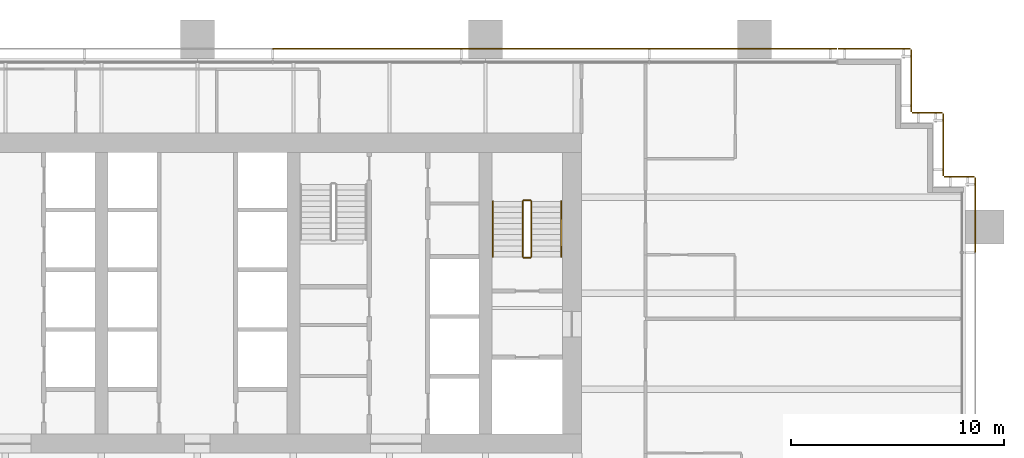
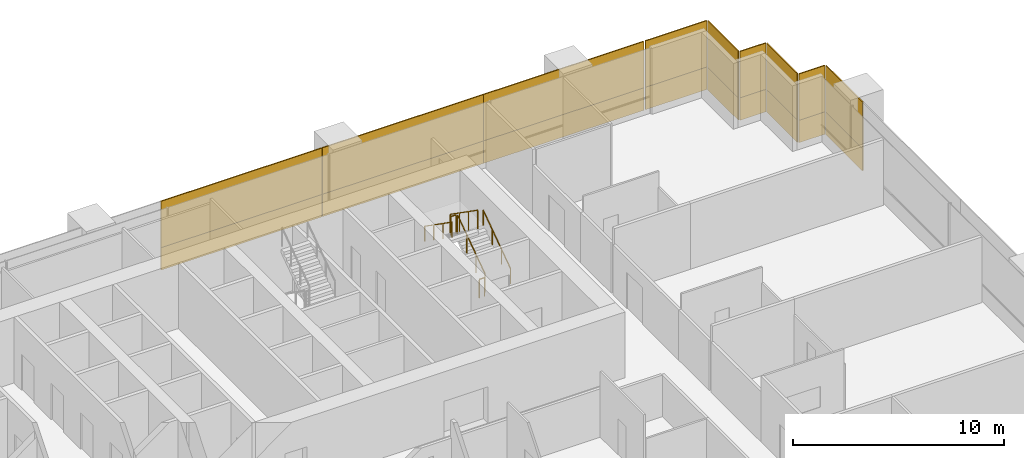
# One storey, part 19 of 19: 18 coverings, 6 railings.
"""IFC4 building model written with IfcOpenShell, lengths in metres."""

from ifc_helpers import new_model, si_unit, direction, frame, origin, origin_2d, place, context, subcontext, project, spatial, rectangle, extrude, material, layer, layer_set, type_object, element, save


model = new_model("IFC4")

# Units and contexts
model_context = context("Model", 3, precision=1e-05, world=origin(), true_north=direction((0.0, 1.0)))
body_context = subcontext(model_context, "Body", "Model", "MODEL_VIEW")
ifc_project = project(units=[si_unit("LENGTHUNIT", "METRE"), si_unit("AREAUNIT", "SQUARE_METRE"), si_unit("VOLUMEUNIT", "CUBIC_METRE"), si_unit("PLANEANGLEUNIT", "RADIAN"), si_unit("MASSUNIT", "GRAM", prefix="KILO")], contexts=[model_context])

# Site, building, storey
site_placement = place(None, origin())
site = spatial("IfcSite", under=ifc_project, at=site_placement, CompositionType="ELEMENT")
building_placement = place(site_placement, origin())
building = spatial("IfcBuilding", under=site, at=building_placement, Name="Rattan Terrace Tower", CompositionType="ELEMENT")
storey_placement = place(building_placement, frame((0.0, 0.0, 111.699951171875)))
storey = spatial("IfcBuildingStorey", under=building, at=storey_placement, Name="L25", CompositionType="ELEMENT", Elevation=111.699951171875)

# Railings
ifc_material_1 = material(Name="Powder-coated steel guard", Category="steel")
railing_type_1 = type_object("IfcRailingType", Name="Core stair guard", PredefinedType="GUARDRAIL", material=ifc_material_1)
railing_1_placement = place(storey_placement, frame((15.64990234375, 1.699951171875, 0.181884765625)))
element("IfcRailing", 1, at=railing_1_placement, inside=storey, type_object=railing_type_1, Name="L25 S2 stair guard 1", PredefinedType="GUARDRAIL", context=body_context, shape_type="SweptSolid", body=[
    extrude(rectangle(XDim=0.048095703125, YDim=0.048095703125, at=origin_2d()), frame((0.0, 0.0, 1.076171875), z_axis=(0.0, 0.819521025635, 0.573049115296), x_axis=(-1.0, 0.0, 0.0)), (0.0, 0.0, 1.0), 3.172607421875),
    extrude(rectangle(XDim=0.0419921875, YDim=0.0419921875, at=origin_2d()), origin(), (0.0, 0.0, 1.0), 1.052001953125),
    extrude(rectangle(XDim=0.0419921875, YDim=0.0419921875, at=origin_2d()), frame((0.0, 0.86669921875, 0.60595703125)), (0.0, 0.0, 1.0), 1.052001953125),
    extrude(rectangle(XDim=0.0419921875, YDim=0.0419921875, at=origin_2d()), frame((0.0, 1.7333984375, 1.212158203125)), (0.0, 0.0, 1.0), 1.052001953125),
    extrude(rectangle(XDim=0.0419921875, YDim=0.0419921875, at=origin_2d()), frame((0.0, 2.60009765625, 1.818115234375)), (0.0, 0.0, 1.0), 1.052001953125),
])
railing_2_placement = place(storey_placement, frame((15.60009765625, 4.35009765625, 2.0)))
element("IfcRailing", 2, at=railing_2_placement, inside=storey, type_object=railing_type_1, Name="L25 S2 stair guard 2", PredefinedType="GUARDRAIL", context=body_context, shape_type="SweptSolid", body=[
    extrude(rectangle(XDim=0.048095703125, YDim=0.048095703125, at=origin_2d()), frame((0.0, 0.0, 1.076171875), z_axis=(-1.0, 0.0, 0.0), x_axis=(0.0, -1.0, 0.0)), (0.0, 0.0, 1.0), 0.300048828125),
    extrude(rectangle(XDim=0.0419921875, YDim=0.0419921875, at=origin_2d()), origin(), (0.0, 0.0, 1.0), 1.052001953125),
    extrude(rectangle(XDim=0.0419921875, YDim=0.0419921875, at=origin_2d()), frame((-0.300048828125, 0.0, 0.0)), (0.0, 0.0, 1.0), 1.052001953125),
])
railing_3_placement = place(storey_placement, frame((15.25, 4.300048828125, 2.181884765625)))
element("IfcRailing", 3, at=railing_3_placement, inside=storey, type_object=railing_type_1, Name="L25 S2 stair guard 3", PredefinedType="GUARDRAIL", context=body_context, shape_type="SweptSolid", body=[
    extrude(rectangle(XDim=0.048095703125, YDim=0.048095703125, at=origin_2d()), frame((0.0, 0.0, 1.076171875), z_axis=(0.0, -0.819521025635, 0.573049115296), x_axis=(1.0, 0.0, 0.0)), (0.0, 0.0, 1.0), 3.172607421875),
    extrude(rectangle(XDim=0.0419921875, YDim=0.0419921875, at=origin_2d()), origin(), (0.0, 0.0, 1.0), 1.052001953125),
    extrude(rectangle(XDim=0.0419921875, YDim=0.0419921875, at=origin_2d()), frame((0.0, -0.86669921875, 0.60595703125)), (0.0, 0.0, 1.0), 1.052001953125),
    extrude(rectangle(XDim=0.0419921875, YDim=0.0419921875, at=origin_2d()), frame((0.0, -1.7333984375, 1.212158203125)), (0.0, 0.0, 1.0), 1.052001953125),
    extrude(rectangle(XDim=0.0419921875, YDim=0.0419921875, at=origin_2d()), frame((0.0, -2.60009765625, 1.818115234375)), (0.0, 0.0, 1.0), 1.052001953125),
])
railing_4_placement = place(storey_placement, frame((15.60009765625, 1.64990234375, 0.0)))
element("IfcRailing", 4, at=railing_4_placement, inside=storey, type_object=railing_type_1, Name="L25 S2 stair guard 4", PredefinedType="GUARDRAIL", context=body_context, shape_type="SweptSolid", body=[
    extrude(rectangle(XDim=0.048095703125, YDim=0.048095703125, at=origin_2d()), frame((0.0, 0.0, 1.076171875), z_axis=(-1.0, 0.0, 0.0), x_axis=(0.0, -1.0, 0.0)), (0.0, 0.0, 1.0), 0.300048828125),
    extrude(rectangle(XDim=0.0419921875, YDim=0.0419921875, at=origin_2d()), origin(), (0.0, 0.0, 1.0), 1.052001953125),
    extrude(rectangle(XDim=0.0419921875, YDim=0.0419921875, at=origin_2d()), frame((-0.300048828125, 0.0, 0.0)), (0.0, 0.0, 1.0), 1.052001953125),
])
ifc_material_2 = material(Name="Powder-coated steel handrail", Category="steel")
railing_type_2 = type_object("IfcRailingType", Name="Core stair handrail", PredefinedType="HANDRAIL", material=ifc_material_2)
railing_5_placement = place(storey_placement, frame((17.050048828125, 1.699951171875, 0.181884765625)))
element("IfcRailing", 5, at=railing_5_placement, inside=storey, type_object=railing_type_2, Name="L25 S2 stair handrail 1", PredefinedType="HANDRAIL", context=body_context, shape_type="SweptSolid", body=[
    extrude(rectangle(XDim=0.048095703125, YDim=0.048095703125, at=origin_2d()), frame((0.0, 0.0, 0.8759765625), z_axis=(0.0, 0.819521025635, 0.573049115296), x_axis=(-1.0, 0.0, 0.0)), (0.0, 0.0, 1.0), 3.172607421875),
    extrude(rectangle(XDim=0.0419921875, YDim=0.0419921875, at=origin_2d()), origin(), (0.0, 0.0, 1.0), 0.851806640625),
    extrude(rectangle(XDim=0.0419921875, YDim=0.0419921875, at=origin_2d()), frame((0.0, 0.86669921875, 0.60595703125)), (0.0, 0.0, 1.0), 0.851806640625),
    extrude(rectangle(XDim=0.0419921875, YDim=0.0419921875, at=origin_2d()), frame((0.0, 1.7333984375, 1.212158203125)), (0.0, 0.0, 1.0), 0.851806640625),
    extrude(rectangle(XDim=0.0419921875, YDim=0.0419921875, at=origin_2d()), frame((0.0, 2.60009765625, 1.818115234375)), (0.0, 0.0, 1.0), 0.851806640625),
])
railing_6_placement = place(storey_placement, frame((13.85009765625, 4.300048828125, 2.181884765625)))
element("IfcRailing", 6, at=railing_6_placement, inside=storey, type_object=railing_type_2, Name="L25 S2 stair handrail 2", PredefinedType="HANDRAIL", context=body_context, shape_type="SweptSolid", body=[
    extrude(rectangle(XDim=0.048095703125, YDim=0.048095703125, at=origin_2d()), frame((0.0, 0.0, 0.8759765625), z_axis=(0.0, -0.819521025635, 0.573049115296), x_axis=(1.0, 0.0, 0.0)), (0.0, 0.0, 1.0), 3.172607421875),
    extrude(rectangle(XDim=0.0419921875, YDim=0.0419921875, at=origin_2d()), origin(), (0.0, 0.0, 1.0), 0.851806640625),
    extrude(rectangle(XDim=0.0419921875, YDim=0.0419921875, at=origin_2d()), frame((0.0, -0.86669921875, 0.60595703125)), (0.0, 0.0, 1.0), 0.851806640625),
    extrude(rectangle(XDim=0.0419921875, YDim=0.0419921875, at=origin_2d()), frame((0.0, -1.7333984375, 1.212158203125)), (0.0, 0.0, 1.0), 0.851806640625),
    extrude(rectangle(XDim=0.0419921875, YDim=0.0419921875, at=origin_2d()), frame((0.0, -2.60009765625, 1.818115234375)), (0.0, 0.0, 1.0), 0.851806640625),
])

# Coverings
ifc_material_3 = material(Name="Solid terracotta", Category="masonry")
ifc_layer_1 = layer(ifc_material_3, 0.06005859375)
ifc_layer_set_1 = layer_set([ifc_layer_1], Name="Facade Terracotta Band Panel")
covering_type_1 = type_object("IfcCoveringType", Name="Facade Terracotta Band Panel", PredefinedType="CLADDING", material=ifc_layer_set_1)
covering_1_placement = place(storey_placement, frame((36.449951171875, 3.659912109375, -0.18994140625), z_axis=(0.0, 0.0, 1.0), x_axis=(0.0, 1.0, 0.0)))
element("IfcCovering", 7, at=covering_1_placement, inside=storey, type_object=covering_type_1, Name="OUTER SKIN panel L25-9A", PredefinedType="CLADDING", context=body_context, shape_type="SweptSolid", body=[
    extrude(rectangle(XDim=3.5, YDim=0.06005859375, at=origin_2d()), origin(), (0.0, 0.0, 1.0), 1.300048828125),
])
covering_2_placement = place(storey_placement, frame((35.699951171875, 5.449951171875, -0.18994140625), z_axis=(0.0, 0.0, 1.0), x_axis=(-1.0, 0.0, 0.0)))
element("IfcCovering", 8, at=covering_2_placement, inside=storey, type_object=covering_type_1, Name="OUTER SKIN panel L25-10A", PredefinedType="CLADDING", context=body_context, shape_type="SweptSolid", body=[
    extrude(rectangle(XDim=1.419921875, YDim=0.06005859375, at=origin_2d()), origin(), (0.0, 0.0, 1.0), 1.300048828125),
])
covering_3_placement = place(storey_placement, frame((34.949951171875, 6.949951171875, -0.18994140625), z_axis=(0.0, 0.0, 1.0), x_axis=(0.0, 1.0, 0.0)))
element("IfcCovering", 9, at=covering_3_placement, inside=storey, type_object=covering_type_1, Name="OUTER SKIN panel L25-11A", PredefinedType="CLADDING", context=body_context, shape_type="SweptSolid", body=[
    extrude(rectangle(XDim=2.919921875, YDim=0.06005859375, at=origin_2d()), origin(), (0.0, 0.0, 1.0), 1.300048828125),
])
covering_4_placement = place(storey_placement, frame((34.199951171875, 8.449951171875, -0.18994140625), z_axis=(0.0, 0.0, 1.0), x_axis=(-1.0, 0.0, 0.0)))
element("IfcCovering", 10, at=covering_4_placement, inside=storey, type_object=covering_type_1, Name="OUTER SKIN panel L25-12A", PredefinedType="CLADDING", context=body_context, shape_type="SweptSolid", body=[
    extrude(rectangle(XDim=1.419921875, YDim=0.06005859375, at=origin_2d()), origin(), (0.0, 0.0, 1.0), 1.300048828125),
])
covering_5_placement = place(storey_placement, frame((33.449951171875, 9.949951171875, -0.18994140625), z_axis=(0.0, 0.0, 1.0), x_axis=(0.0, 1.0, 0.0)))
element("IfcCovering", 11, at=covering_5_placement, inside=storey, type_object=covering_type_1, Name="OUTER SKIN panel L25-13A", PredefinedType="CLADDING", context=body_context, shape_type="SweptSolid", body=[
    extrude(rectangle(XDim=2.919921875, YDim=0.06005859375, at=origin_2d()), origin(), (0.0, 0.0, 1.0), 1.300048828125),
])
covering_6_placement = place(storey_placement, frame((31.72509765625, 11.449951171875, -0.18994140625), z_axis=(0.0, 0.0, 1.0), x_axis=(-1.0, 0.0, 0.0)))
element("IfcCovering", 12, at=covering_6_placement, inside=storey, type_object=covering_type_1, Name="OUTER SKIN panel L25-14A", PredefinedType="CLADDING", context=body_context, shape_type="SweptSolid", body=[
    extrude(rectangle(XDim=3.3701171875, YDim=0.06005859375, at=origin_2d()), origin(), (0.0, 0.0, 1.0), 1.300048828125),
])
covering_7_placement = place(storey_placement, frame((25.573486328125, 11.449951171875, -0.18994140625), z_axis=(0.0, 0.0, 1.0), x_axis=(-1.0, 0.0, 0.0)))
element("IfcCovering", 13, at=covering_7_placement, inside=storey, type_object=covering_type_1, Name="OUTER SKIN panel L25-15A", PredefinedType="CLADDING", context=body_context, shape_type="SweptSolid", body=[
    extrude(rectangle(XDim=8.77294921875, YDim=0.06005859375, at=origin_2d()), origin(), (0.0, 0.0, 1.0), 1.300048828125),
])
for number, where, z_axis, x_axis, name in (
    (14, (16.765380859375, 11.449951171875, -0.18994140625), (0.0, 0.0, 1.0), (-1.0, 0.0, 0.0), "OUTER SKIN panel L25-16A"),
    (15, (7.9423828125, 11.449951171875, -0.18994140625), (0.0, 0.0, 1.0), (-1.0, 0.0, 0.0), "OUTER SKIN panel L25-17A"),
):
    element("IfcCovering", number, at=place(storey_placement, frame(where, z_axis=z_axis, x_axis=x_axis)), inside=storey, type_object=covering_type_1, Name=name, PredefinedType="CLADDING", context=body_context, shape_type="SweptSolid", body=[
        extrude(rectangle(XDim=8.802978515625, YDim=0.06005859375, at=origin_2d()), origin(), (0.0, 0.0, 1.0), 1.300048828125),
    ])
ifc_material_4 = material(Name="Perforated terracotta", Category="masonry")
ifc_layer_2 = layer(ifc_material_4, 0.06005859375)
ifc_layer_set_2 = layer_set([ifc_layer_2], Name="Facade Terracotta Screen Panel")
covering_type_2 = type_object("IfcCoveringType", Name="Facade Terracotta Screen Panel", PredefinedType="CLADDING", material=ifc_layer_set_2)
covering_8_placement = place(storey_placement, frame((36.449951171875, 3.659912109375, 1.10986328125), z_axis=(0.0, 0.0, 1.0), x_axis=(0.0, 1.0, 0.0)))
element("IfcCovering", 16, at=covering_8_placement, inside=storey, type_object=covering_type_2, Name="OUTER SKIN panel L25-9B", PredefinedType="CLADDING", context=body_context, shape_type="SweptSolid", body=[
    extrude(rectangle(XDim=3.5, YDim=0.06005859375, at=origin_2d()), origin(), (0.0, 0.0, 1.0), 2.679931640625),
])
covering_9_placement = place(storey_placement, frame((35.699951171875, 5.449951171875, 1.10986328125), z_axis=(0.0, 0.0, 1.0), x_axis=(-1.0, 0.0, 0.0)))
element("IfcCovering", 17, at=covering_9_placement, inside=storey, type_object=covering_type_2, Name="OUTER SKIN panel L25-10B", PredefinedType="CLADDING", context=body_context, shape_type="SweptSolid", body=[
    extrude(rectangle(XDim=1.419921875, YDim=0.06005859375, at=origin_2d()), origin(), (0.0, 0.0, 1.0), 2.679931640625),
])
covering_10_placement = place(storey_placement, frame((34.949951171875, 6.949951171875, 1.10986328125), z_axis=(0.0, 0.0, 1.0), x_axis=(0.0, 1.0, 0.0)))
element("IfcCovering", 18, at=covering_10_placement, inside=storey, type_object=covering_type_2, Name="OUTER SKIN panel L25-11B", PredefinedType="CLADDING", context=body_context, shape_type="SweptSolid", body=[
    extrude(rectangle(XDim=2.919921875, YDim=0.06005859375, at=origin_2d()), origin(), (0.0, 0.0, 1.0), 2.679931640625),
])
covering_11_placement = place(storey_placement, frame((34.199951171875, 8.449951171875, 1.10986328125), z_axis=(0.0, 0.0, 1.0), x_axis=(-1.0, 0.0, 0.0)))
element("IfcCovering", 19, at=covering_11_placement, inside=storey, type_object=covering_type_2, Name="OUTER SKIN panel L25-12B", PredefinedType="CLADDING", context=body_context, shape_type="SweptSolid", body=[
    extrude(rectangle(XDim=1.419921875, YDim=0.06005859375, at=origin_2d()), origin(), (0.0, 0.0, 1.0), 2.679931640625),
])
covering_12_placement = place(storey_placement, frame((33.449951171875, 9.949951171875, 1.10986328125), z_axis=(0.0, 0.0, 1.0), x_axis=(0.0, 1.0, 0.0)))
element("IfcCovering", 20, at=covering_12_placement, inside=storey, type_object=covering_type_2, Name="OUTER SKIN panel L25-13B", PredefinedType="CLADDING", context=body_context, shape_type="SweptSolid", body=[
    extrude(rectangle(XDim=2.919921875, YDim=0.06005859375, at=origin_2d()), origin(), (0.0, 0.0, 1.0), 2.679931640625),
])
covering_13_placement = place(storey_placement, frame((31.72509765625, 11.449951171875, 1.10986328125), z_axis=(0.0, 0.0, 1.0), x_axis=(-1.0, 0.0, 0.0)))
element("IfcCovering", 21, at=covering_13_placement, inside=storey, type_object=covering_type_2, Name="OUTER SKIN panel L25-14B", PredefinedType="CLADDING", context=body_context, shape_type="SweptSolid", body=[
    extrude(rectangle(XDim=3.3701171875, YDim=0.06005859375, at=origin_2d()), origin(), (0.0, 0.0, 1.0), 2.679931640625),
])
covering_14_placement = place(storey_placement, frame((25.573486328125, 11.449951171875, 1.10986328125), z_axis=(0.0, 0.0, 1.0), x_axis=(-1.0, 0.0, 0.0)))
element("IfcCovering", 22, at=covering_14_placement, inside=storey, type_object=covering_type_2, Name="OUTER SKIN panel L25-15B", PredefinedType="CLADDING", context=body_context, shape_type="SweptSolid", body=[
    extrude(rectangle(XDim=8.77294921875, YDim=0.06005859375, at=origin_2d()), origin(), (0.0, 0.0, 1.0), 2.679931640625),
])
for number, where, z_axis, x_axis, name in (
    (23, (16.765380859375, 11.449951171875, 1.10986328125), (0.0, 0.0, 1.0), (-1.0, 0.0, 0.0), "OUTER SKIN panel L25-16B"),
    (24, (7.9423828125, 11.449951171875, 1.10986328125), (0.0, 0.0, 1.0), (-1.0, 0.0, 0.0), "OUTER SKIN panel L25-17B"),
):
    element("IfcCovering", number, at=place(storey_placement, frame(where, z_axis=z_axis, x_axis=x_axis)), inside=storey, type_object=covering_type_2, Name=name, PredefinedType="CLADDING", context=body_context, shape_type="SweptSolid", body=[
        extrude(rectangle(XDim=8.802978515625, YDim=0.06005859375, at=origin_2d()), origin(), (0.0, 0.0, 1.0), 2.679931640625),
    ])

save(model, "model.ifc")
